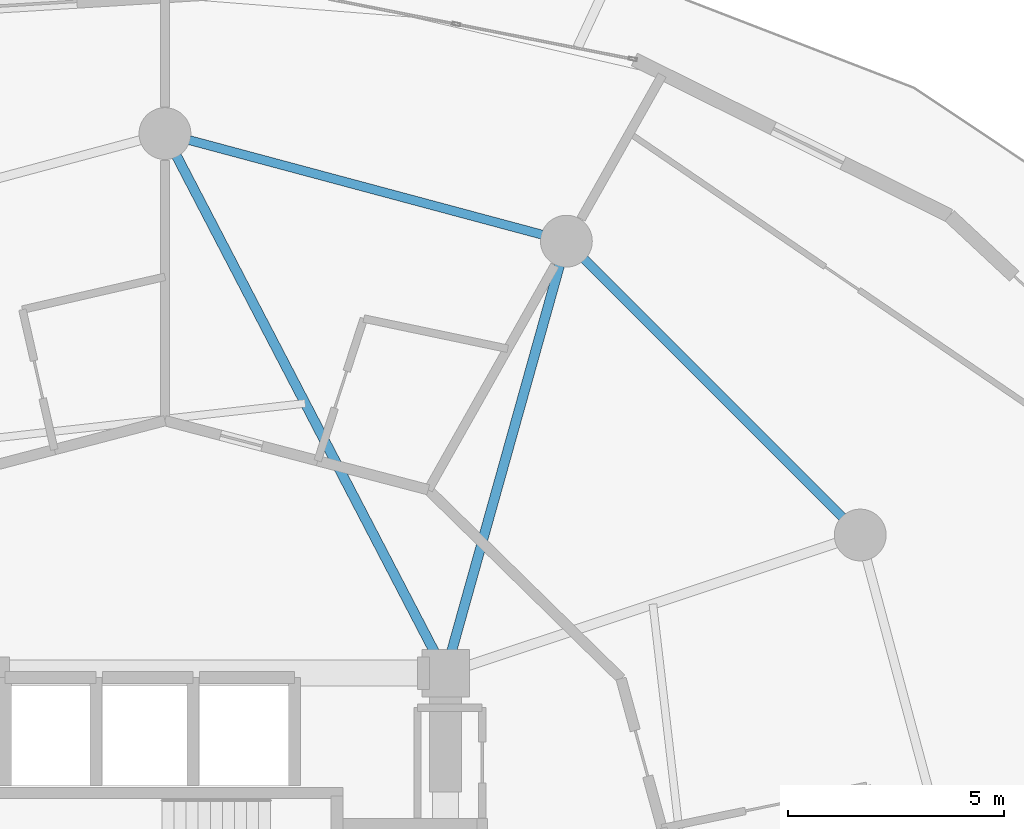
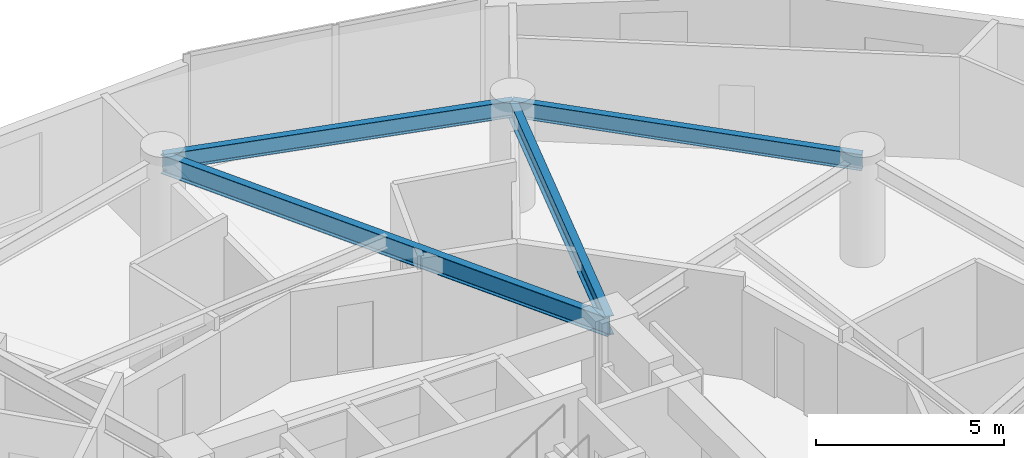
# One storey, part 15 of 25: 4 beams.
"""IFC4 building model written with IfcOpenShell, lengths in metres."""

from ifc_helpers import new_model, si_unit, direction, frame, origin, origin_2d, place, context, subcontext, project, spatial, i_section, extrude, material, material_profile, profile_set, type_object, element, save


model = new_model("IFC4")

# Units and contexts
model_context = context("Model", 3, precision=1e-05, world=origin(), true_north=direction((0.0, 1.0)))
body_context = subcontext(model_context, "Body", "Model", "MODEL_VIEW")
ifc_project = project(units=[si_unit("LENGTHUNIT", "METRE"), si_unit("AREAUNIT", "SQUARE_METRE"), si_unit("VOLUMEUNIT", "CUBIC_METRE"), si_unit("PLANEANGLEUNIT", "RADIAN"), si_unit("MASSUNIT", "GRAM", prefix="KILO")], contexts=[model_context])

# Site, building, storey
site_placement = place(None, origin())
site = spatial("IfcSite", under=ifc_project, at=site_placement, CompositionType="ELEMENT")
building_placement = place(site_placement, origin())
building = spatial("IfcBuilding", under=site, at=building_placement, Name="Solvirekh Grand Hotel", CompositionType="ELEMENT")
storey_placement = place(building_placement, frame((0.0, 0.0, 28.39990234375)))
storey = spatial("IfcBuildingStorey", under=building, at=storey_placement, Name="L05", CompositionType="ELEMENT", Elevation=28.39990234375)

# Beams
ifc_material = material(Name="Steel S355", Category="steel")
ifc_material_profile_1 = material_profile(ifc_material, i_section(OverallWidth=0.22802734375, OverallDepth=0.616943359375, WebThickness=0.012939453125, FlangeThickness=0.02001953125, FilletRadius=0.014892578125, at=origin_2d()), Name="W610X140")
ifc_profile_set_1 = profile_set([ifc_material_profile_1], Name="Steel S355")
beam_type_1 = type_object("IfcBeamType", Name="Beam_Radial_W610", PredefinedType="BEAM", material=ifc_profile_set_1)
beam_1_placement = place(storey_placement, frame((6.5, 6.10009765625, 3.031005859375), z_axis=(0.269439084681, 0.963017434757, 0.0), x_axis=(-0.963017434757, 0.269439084681, 0.0)))
element("IfcBeam", 1, at=beam_1_placement, inside=storey, type_object=beam_type_1, Name="L05 radial floor beam R03", PredefinedType="BEAM", context=body_context, shape_type="SweptSolid", body=[
    extrude(i_section(OverallWidth=0.22802734375, OverallDepth=0.616943359375, WebThickness=0.012939453125, FlangeThickness=0.02001953125, FilletRadius=0.014892578125, at=origin_2d()), origin(), (0.0, 0.0, 1.0), 10.39208984375),
])
beam_2_placement = place(storey_placement, frame((6.5, 6.10009765625, 3.031005859375), z_axis=(-0.461352736642, 0.887216801235, 0.0), x_axis=(-0.887216801235, -0.461352736642, 0.0)))
element("IfcBeam", 2, at=beam_2_placement, inside=storey, type_object=beam_type_1, Name="L05 radial floor beam R04", PredefinedType="BEAM", context=body_context, shape_type="SweptSolid", body=[
    extrude(i_section(OverallWidth=0.22802734375, OverallDepth=0.616943359375, WebThickness=0.012939453125, FlangeThickness=0.02001953125, FilletRadius=0.014892578125, at=origin_2d()), origin(), (0.0, 0.0, 1.0), 14.089111328125),
])
ifc_material_profile_2 = material_profile(ifc_material, i_section(OverallWidth=0.208984375, OverallDepth=0.532958984375, WebThickness=0.010009765625, FlangeThickness=0.014892578125, FilletRadius=0.013916015625, at=origin_2d()), Name="W530X92")
ifc_profile_set_2 = profile_set([ifc_material_profile_2], Name="Steel S355")
beam_type_2 = type_object("IfcBeamType", Name="Spandrel_Ring_W530", PredefinedType="SPANDREL", material=ifc_profile_set_2)
beam_3_placement = place(storey_placement, frame((16.10791015625, 9.300048828125, 3.072998046875), z_axis=(-0.707106781187, 0.707106781187, 0.0), x_axis=(-0.707106781187, -0.707106781187, 0.0)))
element("IfcBeam", 3, at=beam_3_placement, inside=storey, type_object=beam_type_2, Name="L05 perimeter spandrel beam 2", PredefinedType="SPANDREL", context=body_context, shape_type="SweptSolid", body=[
    extrude(i_section(OverallWidth=0.208984375, OverallDepth=0.532958984375, WebThickness=0.010009765625, FlangeThickness=0.014892578125, FilletRadius=0.013916015625, at=origin_2d()), origin(), (0.0, 0.0, 1.0), 9.627685546875),
])
beam_4_placement = place(storey_placement, frame((9.300048828125, 16.10791015625, 3.072998046875), z_axis=(-0.965919414426, 0.258842973314, 0.0), x_axis=(-0.258842973314, -0.965919414426, 0.0)))
element("IfcBeam", 4, at=beam_4_placement, inside=storey, type_object=beam_type_2, Name="L05 perimeter spandrel beam 3", PredefinedType="SPANDREL", context=body_context, shape_type="SweptSolid", body=[
    extrude(i_section(OverallWidth=0.208984375, OverallDepth=0.532958984375, WebThickness=0.010009765625, FlangeThickness=0.014892578125, FilletRadius=0.013916015625, at=origin_2d()), origin(), (0.0, 0.0, 1.0), 9.628173828125),
])

save(model, "model.ifc")
